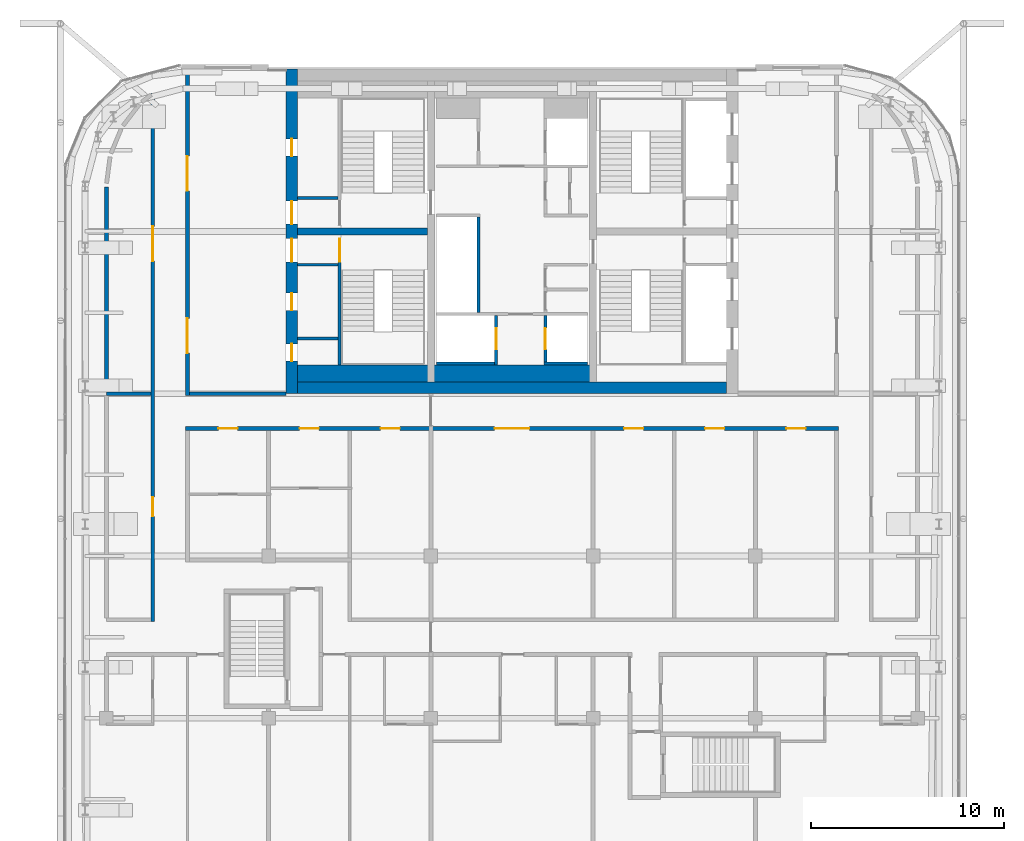
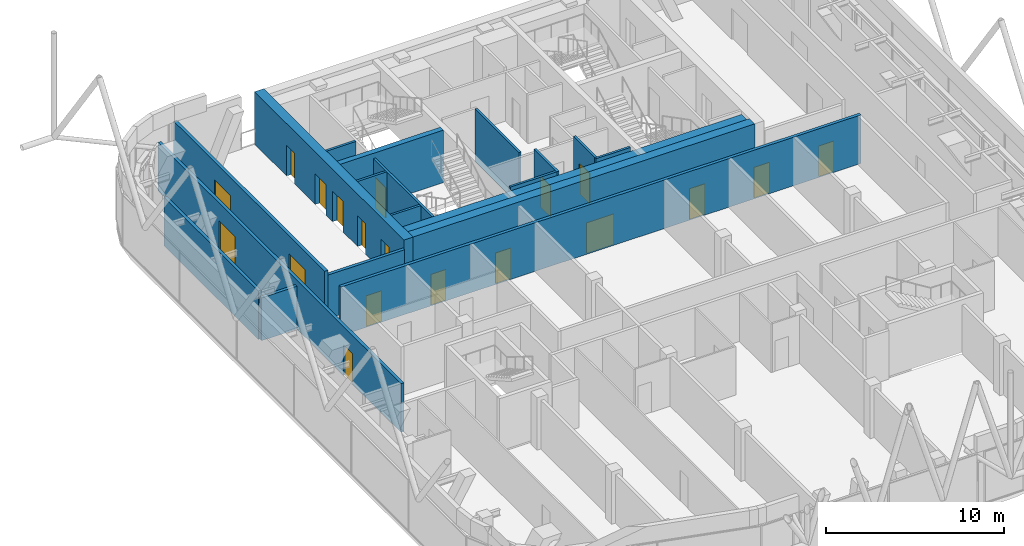
# One storey, part 21 of 25: 19 doors, 19 walls, 19 openings.
"""IFC4 building model written with IfcOpenShell, lengths in metres."""

from ifc_helpers import new_model, si_unit, direction, frame, frame_2d, origin, place, context, subcontext, project, spatial, rectangle, extrude, material, layer, layer_set, type_object, element, fill, save


model = new_model("IFC4")

# Units and contexts
model_context = context("Model", 3, precision=1e-05, world=origin(), true_north=direction((0.0, 1.0)))
body_context = subcontext(model_context, "Body", "Model", "MODEL_VIEW")
ifc_project = project(units=[si_unit("LENGTHUNIT", "METRE"), si_unit("AREAUNIT", "SQUARE_METRE"), si_unit("VOLUMEUNIT", "CUBIC_METRE"), si_unit("PLANEANGLEUNIT", "RADIAN"), si_unit("MASSUNIT", "GRAM", prefix="KILO")], contexts=[model_context])

# Site, building, storey
site_placement = place(None, origin())
site = spatial("IfcSite", under=ifc_project, at=site_placement, CompositionType="ELEMENT")
building_placement = place(site_placement, origin())
building = spatial("IfcBuilding", under=site, at=building_placement, Name="Marenta Gate Hotel Tower", CompositionType="ELEMENT")
storey_placement = place(building_placement, frame((0.0, 0.0, 277.699951171875)))
storey = spatial("IfcBuildingStorey", under=building, at=storey_placement, Name="L64", CompositionType="ELEMENT", Elevation=277.699951171875)

# Wall, openings, doors
ifc_material_1 = material(Name="Concrete blockwork", Category="masonry")
ifc_layer_1 = layer(ifc_material_1, 0.199951171875)
ifc_layer_set_1 = layer_set([ifc_layer_1], Name="Concrete blockwork")
wall_type_1 = type_object("IfcWallType", Name="Core boundary wall 200 REI 180", PredefinedType="PARTITIONING", material=ifc_layer_set_1)
wall_1_placement = place(storey_placement, frame((-16.800048828125, -0.10009765625, 0.0), z_axis=(0.0, 0.0, 1.0), x_axis=(0.0, 1.0, 0.0)))
wall_1 = element("IfcWall", 1, at=wall_1_placement, inside=storey, type_object=wall_type_1, Name="L64-CP-BW-W", PredefinedType="PARTITIONING", context=body_context, shape_type="SweptSolid", body=[
    extrude(rectangle(XDim=17.0, YDim=0.199951171875, at=frame_2d((8.5, 0.0))), origin(), (0.0, 0.0, 1.0), 3.340087890625),
])
opening_1_placement = place(wall_1_placement, frame((2.199951171875, 0.0, 0.0)))
opening_1 = element("IfcOpeningElement", 2, at=opening_1_placement, cuts=wall_1, Name="Opening ED-Wa-B", PredefinedType="OPENING", context=body_context, shape_type="SweptSolid", body=[
    extrude(rectangle(XDim=1.800048828125, YDim=2.10009765625, at=frame_2d((0.89990234375, 1.050048828125))), frame((0.0, 0.10009765625, 0.0), z_axis=(0.0, -1.0, 0.0), x_axis=(1.0, 0.0, 0.0)), (0.0, 0.0, 1.0), 0.199951171875),
])
opening_2_placement = place(wall_1_placement, frame((10.60009765625, 0.0, 0.0)))
opening_2 = element("IfcOpeningElement", 3, at=opening_2_placement, cuts=wall_1, Name="Opening ED-Wb-B", PredefinedType="OPENING", context=body_context, shape_type="SweptSolid", body=[
    extrude(rectangle(XDim=1.800048828125, YDim=2.10009765625, at=frame_2d((0.89990234375, 1.050048828125))), frame((0.0, 0.10009765625, 0.0), z_axis=(0.0, -1.0, 0.0), x_axis=(1.0, 0.0, 0.0)), (0.0, 0.0, 1.0), 0.199951171875),
])
ifc_material_2 = material(Name="Steel", Category="steel")
door_type_1 = type_object("IfcDoorType", Name="Core lobby entrance door 1800x2100 EI 60", OperationType="DOUBLE_DOOR_SINGLE_SWING", PredefinedType="DOOR", material=ifc_material_2)
door_1_placement = place(opening_1_placement, origin())
door_1 = element("IfcDoor", 4, at=door_1_placement, inside=storey, type_object=door_type_1, Name="ED-Wa-B", OperationType="DOUBLE_DOOR_SINGLE_SWING", OverallHeight=2.10009765625, OverallWidth=1.800048828125, PredefinedType="DOOR", context=body_context, shape_type="SweptSolid", body=[
    extrude(rectangle(XDim=1.800048828125, YDim=2.10009765625, at=frame_2d((0.89990234375, 1.050048828125))), frame((0.0, 0.02490234375, 0.0), z_axis=(0.0, -1.0, 0.0), x_axis=(1.0, 0.0, 0.0)), (0.0, 0.0, 1.0), 0.050048828125),
])
fill(opening_1, door_1)
door_2_placement = place(opening_2_placement, origin())
door_2 = element("IfcDoor", 5, at=door_2_placement, inside=storey, type_object=door_type_1, Name="ED-Wb-B", OperationType="DOUBLE_DOOR_SINGLE_SWING", OverallHeight=2.10009765625, OverallWidth=1.800048828125, PredefinedType="DOOR", context=body_context, shape_type="SweptSolid", body=[
    extrude(rectangle(XDim=1.800048828125, YDim=2.10009765625, at=frame_2d((0.89990234375, 1.050048828125))), frame((0.0, 0.02490234375, 0.0), z_axis=(0.0, -1.0, 0.0), x_axis=(1.0, 0.0, 0.0)), (0.0, 0.0, 1.0), 0.050048828125),
])
fill(opening_2, door_2)

# Walls
wall_2_placement = place(storey_placement, frame((-16.699951171875, 0.0, 0.0), z_axis=(0.0, 0.0, 1.0), x_axis=(1.0, 0.0, 0.0)))
element("IfcWall", 6, at=wall_2_placement, inside=storey, type_object=wall_type_1, Name="L64-CP-EW-WS", PredefinedType="PARTITIONING", context=body_context, shape_type="SweptSolid", body=[
    extrude(rectangle(XDim=5.0, YDim=0.199951171875, at=frame_2d((2.5, 0.0))), origin(), (0.0, 0.0, 1.0), 3.0),
])
ifc_material_3 = material(Name="Concrete C40", Category="concrete")
ifc_layer_2 = layer(ifc_material_3, 0.89990234375)
ifc_layer_set_2 = layer_set([ifc_layer_2], Name="Concrete C40")
wall_type_2 = type_object("IfcWallType", Name="Core lining wall 900 REI 180", PredefinedType="PARTITIONING", material=ifc_layer_set_2)
wall_3_placement = place(storey_placement, frame((-11.10009765625, 1.050048828125, 0.0), z_axis=(0.0, 0.0, 1.0), x_axis=(1.0, 0.0, 0.0)))
element("IfcWall", 7, at=wall_3_placement, inside=storey, type_object=wall_type_2, Name="L64-CP-LN-S", PredefinedType="PARTITIONING", context=body_context, shape_type="SweptSolid", body=[
    extrude(rectangle(XDim=22.2001953125, YDim=0.89990234375, at=frame_2d((11.10009765625, 0.0))), origin(), (0.0, 0.0, 1.0), 3.340087890625),
])
ifc_material_4 = material(Name="Concrete blockwork", Category="masonry")
ifc_layer_3 = layer(ifc_material_4, 0.14990234375)
ifc_layer_set_3 = layer_set([ifc_layer_3], Name="Concrete blockwork")
wall_type_3 = type_object("IfcWallType", Name="Core room partition 150 REI 180", PredefinedType="PARTITIONING", material=ifc_layer_set_3)
for number, where, z_axis, x_axis, name in (
    (8, (-11.10009765625, 6.675048828125, 0.0), (0.0, 0.0, 1.0), (1.0, 0.0, 0.0), "L64-CP-SW-WS-2"),
    (9, (-11.10009765625, 2.85009765625, 0.0), (0.0, 0.0, 1.0), (1.0, 0.0, 0.0), "L64-CP-RW-WS-1"),
    (10, (-11.10009765625, 10.125, 0.0), (0.0, 0.0, 1.0), (1.0, 0.0, 0.0), "L64-CP-SW-WN-2"),
):
    element("IfcWall", number, at=place(storey_placement, frame(where, z_axis=z_axis, x_axis=x_axis)), inside=storey, type_object=wall_type_3, Name=name, PredefinedType="PARTITIONING", context=body_context, shape_type="SweptSolid", body=[
        extrude(rectangle(XDim=2.10009765625, YDim=0.14990234375, at=frame_2d((1.050048828125, 0.0))), origin(), (0.0, 0.0, 1.0), 3.340087890625),
    ])

# Wall, opening, door
ifc_material_5 = material(Name="Concrete C40", Category="concrete")
ifc_layer_4 = layer(ifc_material_5, 0.14990234375)
ifc_layer_set_4 = layer_set([ifc_layer_4], Name="Concrete C40")
wall_type_4 = type_object("IfcWallType", Name="Core shaft wall 150 REI 180", PredefinedType="SHEAR", material=ifc_layer_set_4)
wall_4_placement = place(storey_placement, frame((-0.824951171875, 1.5, 0.0), z_axis=(0.0, 0.0, 1.0), x_axis=(0.0, 1.0, 0.0)))
wall_4 = element("IfcWall", 11, at=wall_4_placement, inside=storey, type_object=wall_type_4, Name="L64-SHF-CW-W-ff", PredefinedType="SHEAR", context=body_context, shape_type="SweptSolid", body=[
    extrude(rectangle(XDim=2.550048828125, YDim=0.14990234375, at=frame_2d((1.27490234375, 0.0))), origin(), (0.0, 0.0, 1.0), 3.60009765625),
])
opening_3_placement = place(wall_4_placement, frame((0.800048828125, 0.0, 0.0)))
opening_3 = element("IfcOpeningElement", 12, at=opening_3_placement, cuts=wall_4, Name="Opening LD-FF1", PredefinedType="OPENING", context=body_context, shape_type="SweptSolid", body=[
    extrude(rectangle(XDim=1.10009765625, YDim=2.10009765625, at=frame_2d((0.550048828125, 1.050048828125))), frame((0.0, 0.074951171875, 0.0), z_axis=(0.0, -1.0, 0.0), x_axis=(1.0, 0.0, 0.0)), (0.0, 0.0, 1.0), 0.14990234375),
])
ifc_material_6 = material(Name="Steel", Category="steel")
door_type_2 = type_object("IfcDoorType", Name="Core lift landing door 1100x2100 E 60", OperationType="SLIDING_TO_LEFT", PredefinedType="DOOR", material=ifc_material_6)
door_3_placement = place(opening_3_placement, origin())
door_3 = element("IfcDoor", 13, at=door_3_placement, inside=storey, type_object=door_type_2, Name="LD-FF1", OperationType="SLIDING_TO_LEFT", OverallHeight=2.10009765625, OverallWidth=1.10009765625, PredefinedType="DOOR", context=body_context, shape_type="SweptSolid", body=[
    extrude(rectangle(XDim=1.10009765625, YDim=2.10009765625, at=frame_2d((0.550048828125, 1.050048828125))), frame((0.0, 0.02490234375, 0.0), z_axis=(0.0, -1.0, 0.0), x_axis=(1.0, 0.0, 0.0)), (0.0, 0.0, 1.0), 0.050048828125),
])
fill(opening_3, door_3)

# Walls
wall_5_placement = place(storey_placement, frame((-3.89990234375, 1.574951171875, 0.0), z_axis=(0.0, 0.0, 1.0), x_axis=(1.0, 0.0, 0.0)))
element("IfcWall", 14, at=wall_5_placement, inside=storey, type_object=wall_type_4, Name="L64-SHF-CW-W-ffs", PredefinedType="SHEAR", context=body_context, shape_type="SweptSolid", body=[
    extrude(rectangle(XDim=3.0, YDim=0.14990234375, at=frame_2d((1.5, 0.0))), origin(), (0.0, 0.0, 1.0), 3.60009765625),
])
wall_6_placement = place(storey_placement, frame((-1.72509765625, 4.199951171875, 0.0), z_axis=(0.0, 0.0, 1.0), x_axis=(0.0, 1.0, 0.0)))
element("IfcWall", 15, at=wall_6_placement, inside=storey, type_object=wall_type_4, Name="L64-SHF-CW-W-front", PredefinedType="SHEAR", context=body_context, shape_type="SweptSolid", body=[
    extrude(rectangle(XDim=4.949951171875, YDim=0.14990234375, at=frame_2d((2.47509765625, 0.0))), origin(), (0.0, 0.0, 1.0), 3.60009765625),
])

# Wall, opening, door
wall_7_placement = place(storey_placement, frame((1.72509765625, 1.64990234375, 0.0), z_axis=(0.0, 0.0, 1.0), x_axis=(0.0, 1.0, 0.0)))
wall_7 = element("IfcWall", 16, at=wall_7_placement, inside=storey, type_object=wall_type_4, Name="L64-SHF-CE-S-ls", PredefinedType="SHEAR", context=body_context, shape_type="SweptSolid", body=[
    extrude(rectangle(XDim=2.400146484375, YDim=0.14990234375, at=frame_2d((1.2001953125, 0.0))), origin(), (0.0, 0.0, 1.0), 3.60009765625),
])
opening_4_placement = place(wall_7_placement, frame((0.64990234375, 0.0, 0.0)))
opening_4 = element("IfcOpeningElement", 17, at=opening_4_placement, cuts=wall_7, Name="Opening LD-SV1", PredefinedType="OPENING", context=body_context, shape_type="SweptSolid", body=[
    extrude(rectangle(XDim=1.10009765625, YDim=2.10009765625, at=frame_2d((0.550048828125, 1.050048828125))), frame((0.0, 0.074951171875, 0.0), z_axis=(0.0, -1.0, 0.0), x_axis=(1.0, 0.0, 0.0)), (0.0, 0.0, 1.0), 0.14990234375),
])
door_4_placement = place(opening_4_placement, origin())
door_4 = element("IfcDoor", 18, at=door_4_placement, inside=storey, type_object=door_type_2, Name="LD-SV1", OperationType="SLIDING_TO_LEFT", OverallHeight=2.10009765625, OverallWidth=1.10009765625, PredefinedType="DOOR", context=body_context, shape_type="SweptSolid", body=[
    extrude(rectangle(XDim=1.10009765625, YDim=2.10009765625, at=frame_2d((0.550048828125, 1.050048828125))), frame((0.0, 0.02490234375, 0.0), z_axis=(0.0, -1.0, 0.0), x_axis=(1.0, 0.0, 0.0)), (0.0, 0.0, 1.0), 0.050048828125),
])
fill(opening_4, door_4)

# Wall
wall_8_placement = place(storey_placement, frame((1.64990234375, 1.574951171875, 0.0), z_axis=(0.0, 0.0, 1.0), x_axis=(1.0, 0.0, 0.0)))
element("IfcWall", 19, at=wall_8_placement, inside=storey, type_object=wall_type_4, Name="L64-SHF-CE-S-bot", PredefinedType="SHEAR", context=body_context, shape_type="SweptSolid", body=[
    extrude(rectangle(XDim=2.25, YDim=0.14990234375, at=frame_2d((1.125, 0.0))), origin(), (0.0, 0.0, 1.0), 3.60009765625),
])

# Wall, opening, door
ifc_material_7 = material(Name="Concrete C40", Category="concrete")
ifc_layer_5 = layer(ifc_material_7, 0.14990234375)
ifc_layer_set_5 = layer_set([ifc_layer_5], Name="Concrete C40")
wall_type_5 = type_object("IfcWallType", Name="Core stair enclosure wall 150 REI 180", PredefinedType="SHEAR", material=ifc_layer_set_5)
wall_9_placement = place(storey_placement, frame((-8.925048828125, 1.5, 0.0), z_axis=(0.0, 0.0, 1.0), x_axis=(0.0, 1.0, 0.0)))
wall_9 = element("IfcWall", 20, at=wall_9_placement, inside=storey, type_object=wall_type_5, Name="L64-SHF-SW-WS-3", PredefinedType="SHEAR", context=body_context, shape_type="SweptSolid", body=[
    extrude(rectangle(XDim=6.60009765625, YDim=0.14990234375, at=frame_2d((3.300048828125, 0.0))), origin(), (0.0, 0.0, 1.0), 3.340087890625),
])
opening_5_placement = place(wall_9_placement, frame((5.324951171875, 0.0, 0.0)))
opening_5 = element("IfcOpeningElement", 21, at=opening_5_placement, cuts=wall_9, Name="Opening SD-WS", PredefinedType="OPENING", context=body_context, shape_type="SweptSolid", body=[
    extrude(rectangle(XDim=1.199951171875, YDim=2.10009765625, at=frame_2d((0.60009765625, 1.050048828125))), frame((0.0, 0.074951171875, 0.0), z_axis=(0.0, -1.0, 0.0), x_axis=(1.0, 0.0, 0.0)), (0.0, 0.0, 1.0), 0.14990234375),
])
ifc_material_8 = material(Name="Steel", Category="steel")
door_type_3 = type_object("IfcDoorType", Name="Core stair door 1200x2100 FD60", OperationType="SINGLE_SWING_LEFT", PredefinedType="DOOR", material=ifc_material_8)
door_5_placement = place(opening_5_placement, origin())
door_5 = element("IfcDoor", 22, at=door_5_placement, inside=storey, type_object=door_type_3, Name="SD-WS", OperationType="SINGLE_SWING_LEFT", OverallHeight=2.10009765625, OverallWidth=1.199951171875, PredefinedType="DOOR", context=body_context, shape_type="SweptSolid", body=[
    extrude(rectangle(XDim=1.199951171875, YDim=2.10009765625, at=frame_2d((0.60009765625, 1.050048828125))), frame((0.0, 0.02490234375, 0.0), z_axis=(0.0, -1.0, 0.0), x_axis=(1.0, 0.0, 0.0)), (0.0, 0.0, 1.0), 0.050048828125),
])
fill(opening_5, door_5)

# Wall, openings, doors
ifc_material_9 = material(Name="Concrete C50", Category="concrete")
ifc_layer_6 = layer(ifc_material_9, 0.60009765625)
ifc_layer_set_6 = layer_set([ifc_layer_6], Name="Concrete C50")
wall_type_6 = type_object("IfcWallType", Name="Core wall 600 C50", PredefinedType="SHEAR", material=ifc_layer_set_6)
wall_10_placement = place(storey_placement, frame((-11.39990234375, 0.0, 0.0), z_axis=(0.0, 0.0, 1.0), x_axis=(0.0, 1.0, 0.0)))
wall_10 = element("IfcWall", 23, at=wall_10_placement, inside=storey, type_object=wall_type_6, Name="L64-CORE-W", PredefinedType="SHEAR", context=body_context, shape_type="SweptSolid", body=[
    extrude(rectangle(XDim=16.800048828125, YDim=0.60009765625, at=frame_2d((8.39990234375, 0.0))), origin(), (0.0, 0.0, 1.0), 3.60009765625),
])
opening_6_placement = place(wall_10_placement, frame((1.6875, 0.0, 0.0)))
opening_6 = element("IfcOpeningElement", 24, at=opening_6_placement, cuts=wall_10, Name="Opening RD-WS-1", PredefinedType="OPENING", context=body_context, shape_type="SweptSolid", body=[
    extrude(rectangle(XDim=0.89990234375, YDim=2.10009765625, at=frame_2d((0.449951171875, 1.050048828125))), frame((0.0, 0.300048828125, 0.0), z_axis=(0.0, -1.0, 0.0), x_axis=(1.0, 0.0, 0.0)), (0.0, 0.0, 1.0), 0.60009765625),
])
opening_7_placement = place(wall_10_placement, frame((4.3125, 0.0, 0.0)))
opening_7 = element("IfcOpeningElement", 25, at=opening_7_placement, cuts=wall_10, Name="Opening RD-WS-2", PredefinedType="OPENING", context=body_context, shape_type="SweptSolid", body=[
    extrude(rectangle(XDim=0.89990234375, YDim=2.10009765625, at=frame_2d((0.449951171875, 1.050048828125))), frame((0.0, 0.300048828125, 0.0), z_axis=(0.0, -1.0, 0.0), x_axis=(1.0, 0.0, 0.0)), (0.0, 0.0, 1.0), 0.60009765625),
])
opening_8_placement = place(wall_10_placement, frame((6.824951171875, 0.0, 0.0)))
opening_8 = element("IfcOpeningElement", 26, at=opening_8_placement, cuts=wall_10, Name="Opening PD-WS", PredefinedType="OPENING", context=body_context, shape_type="SweptSolid", body=[
    extrude(rectangle(XDim=1.199951171875, YDim=2.10009765625, at=frame_2d((0.60009765625, 1.050048828125))), frame((0.0, 0.300048828125, 0.0), z_axis=(0.0, -1.0, 0.0), x_axis=(1.0, 0.0, 0.0)), (0.0, 0.0, 1.0), 0.60009765625),
])
opening_9_placement = place(wall_10_placement, frame((12.300048828125, 0.0, 0.0)))
opening_9 = element("IfcOpeningElement", 27, at=opening_9_placement, cuts=wall_10, Name="Opening RD-WN-1", PredefinedType="OPENING", context=body_context, shape_type="SweptSolid", body=[
    extrude(rectangle(XDim=0.89990234375, YDim=2.10009765625, at=frame_2d((0.449951171875, 1.050048828125))), frame((0.0, 0.300048828125, 0.0), z_axis=(0.0, -1.0, 0.0), x_axis=(1.0, 0.0, 0.0)), (0.0, 0.0, 1.0), 0.60009765625),
])
opening_10_placement = place(wall_10_placement, frame((8.77490234375, 0.0, 0.0)))
opening_10 = element("IfcOpeningElement", 28, at=opening_10_placement, cuts=wall_10, Name="Opening PD-WN", PredefinedType="OPENING", context=body_context, shape_type="SweptSolid", body=[
    extrude(rectangle(XDim=1.199951171875, YDim=2.10009765625, at=frame_2d((0.60009765625, 1.050048828125))), frame((0.0, 0.300048828125, 0.0), z_axis=(0.0, -1.0, 0.0), x_axis=(1.0, 0.0, 0.0)), (0.0, 0.0, 1.0), 0.60009765625),
])
ifc_material_10 = material(Name="Steel", Category="steel")
door_type_4 = type_object("IfcDoorType", Name="Core lobby door 1200x2100 FD60", OperationType="SINGLE_SWING_LEFT", PredefinedType="DOOR", material=ifc_material_10)
door_6_placement = place(opening_8_placement, origin())
door_6 = element("IfcDoor", 29, at=door_6_placement, inside=storey, type_object=door_type_4, Name="PD-WS", OperationType="SINGLE_SWING_LEFT", OverallHeight=2.10009765625, OverallWidth=1.199951171875, PredefinedType="DOOR", context=body_context, shape_type="SweptSolid", body=[
    extrude(rectangle(XDim=1.199951171875, YDim=2.10009765625, at=frame_2d((0.60009765625, 1.050048828125))), frame((0.0, 0.02490234375, 0.0), z_axis=(0.0, -1.0, 0.0), x_axis=(1.0, 0.0, 0.0)), (0.0, 0.0, 1.0), 0.050048828125),
])
fill(opening_8, door_6)
door_7_placement = place(opening_10_placement, origin())
door_7 = element("IfcDoor", 30, at=door_7_placement, inside=storey, type_object=door_type_4, Name="PD-WN", OperationType="SINGLE_SWING_LEFT", OverallHeight=2.10009765625, OverallWidth=1.199951171875, PredefinedType="DOOR", context=body_context, shape_type="SweptSolid", body=[
    extrude(rectangle(XDim=1.199951171875, YDim=2.10009765625, at=frame_2d((0.60009765625, 1.050048828125))), frame((0.0, 0.02490234375, 0.0), z_axis=(0.0, -1.0, 0.0), x_axis=(1.0, 0.0, 0.0)), (0.0, 0.0, 1.0), 0.050048828125),
])
fill(opening_10, door_7)
ifc_material_11 = material(Name="Steel", Category="steel")
door_type_5 = type_object("IfcDoorType", Name="Core service room door 900x2100 FD30S", OperationType="SINGLE_SWING_LEFT", PredefinedType="DOOR", material=ifc_material_11)
door_8_placement = place(opening_6_placement, origin())
door_8 = element("IfcDoor", 31, at=door_8_placement, inside=storey, type_object=door_type_5, Name="RD-WS-1", OperationType="SINGLE_SWING_LEFT", OverallHeight=2.10009765625, OverallWidth=0.89990234375, PredefinedType="DOOR", context=body_context, shape_type="SweptSolid", body=[
    extrude(rectangle(XDim=0.89990234375, YDim=2.10009765625, at=frame_2d((0.449951171875, 1.050048828125))), frame((0.0, 0.02490234375, 0.0), z_axis=(0.0, -1.0, 0.0), x_axis=(1.0, 0.0, 0.0)), (0.0, 0.0, 1.0), 0.050048828125),
])
fill(opening_6, door_8)
door_9_placement = place(opening_7_placement, origin())
door_9 = element("IfcDoor", 32, at=door_9_placement, inside=storey, type_object=door_type_5, Name="RD-WS-2", OperationType="SINGLE_SWING_LEFT", OverallHeight=2.10009765625, OverallWidth=0.89990234375, PredefinedType="DOOR", context=body_context, shape_type="SweptSolid", body=[
    extrude(rectangle(XDim=0.89990234375, YDim=2.10009765625, at=frame_2d((0.449951171875, 1.050048828125))), frame((0.0, 0.02490234375, 0.0), z_axis=(0.0, -1.0, 0.0), x_axis=(1.0, 0.0, 0.0)), (0.0, 0.0, 1.0), 0.050048828125),
])
fill(opening_7, door_9)
door_10_placement = place(opening_9_placement, origin())
door_10 = element("IfcDoor", 33, at=door_10_placement, inside=storey, type_object=door_type_5, Name="RD-WN-1", OperationType="SINGLE_SWING_LEFT", OverallHeight=2.10009765625, OverallWidth=0.89990234375, PredefinedType="DOOR", context=body_context, shape_type="SweptSolid", body=[
    extrude(rectangle(XDim=0.89990234375, YDim=2.10009765625, at=frame_2d((0.449951171875, 1.050048828125))), frame((0.0, 0.02490234375, 0.0), z_axis=(0.0, -1.0, 0.0), x_axis=(1.0, 0.0, 0.0)), (0.0, 0.0, 1.0), 0.050048828125),
])
fill(opening_9, door_10)

# Walls
wall_11_placement = place(storey_placement, frame((-11.10009765625, 0.300048828125, 0.0), z_axis=(0.0, 0.0, 1.0), x_axis=(1.0, 0.0, 0.0)))
element("IfcWall", 34, at=wall_11_placement, inside=storey, type_object=wall_type_6, Name="L64-CORE-S", PredefinedType="SHEAR", context=body_context, shape_type="SweptSolid", body=[
    extrude(rectangle(XDim=22.2001953125, YDim=0.60009765625, at=frame_2d((11.10009765625, 0.0))), origin(), (0.0, 0.0, 1.0), 3.60009765625),
])
ifc_material_12 = material(Name="Concrete C50", Category="concrete")
ifc_layer_7 = layer(ifc_material_12, 0.35009765625)
ifc_layer_set_7 = layer_set([ifc_layer_7], Name="Concrete C50")
wall_type_7 = type_object("IfcWallType", Name="Core web 350 C50", PredefinedType="SHEAR", material=ifc_layer_set_7)
wall_12_placement = place(storey_placement, frame((-11.10009765625, 8.39990234375, 0.0), z_axis=(0.0, 0.0, 1.0), x_axis=(1.0, 0.0, 0.0)))
element("IfcWall", 35, at=wall_12_placement, inside=storey, type_object=wall_type_7, Name="L64-CORE-W3", PredefinedType="SHEAR", context=body_context, shape_type="SweptSolid", body=[
    extrude(rectangle(XDim=6.72509765625, YDim=0.35009765625, at=frame_2d((3.362548828125, 0.0))), origin(), (0.0, 0.0, 1.0), 3.60009765625),
])

# Wall, openings, doors
ifc_material_13 = material(Name="Concrete blockwork", Category="masonry")
ifc_layer_8 = layer(ifc_material_13, 0.199951171875)
ifc_layer_set_8 = layer_set([ifc_layer_8], Name="Concrete blockwork")
wall_type_8 = type_object("IfcWallType", Name="Room corridor wall 200 EI 120", PredefinedType="PARTITIONING", material=ifc_layer_set_8)
wall_13_placement = place(storey_placement, frame((-16.89990234375, -1.800048828125, 0.0), z_axis=(0.0, 0.0, 1.0), x_axis=(1.0, 0.0, 0.0)))
wall_13 = element("IfcWall", 36, at=wall_13_placement, inside=storey, type_object=wall_type_8, Name="L64-PTN-W036", PredefinedType="PARTITIONING", context=body_context, shape_type="SweptSolid", body=[
    extrude(rectangle(XDim=33.7998046875, YDim=0.199951171875, at=frame_2d((16.89990234375, 0.0))), origin(), (0.0, 0.0, 1.0), 3.340087890625),
])
opening_11_placement = place(wall_13_placement, frame((1.699951171875, 0.0, 0.0)))
opening_11 = element("IfcOpeningElement", 37, at=opening_11_placement, cuts=wall_13, Name="Opening G23-01", PredefinedType="OPENING", context=body_context, shape_type="SweptSolid", body=[
    extrude(rectangle(XDim=1.0, YDim=2.10009765625, at=frame_2d((0.5, 1.050048828125))), frame((0.0, 0.10009765625, 0.0), z_axis=(0.0, -1.0, 0.0), x_axis=(1.0, 0.0, 0.0)), (0.0, 0.0, 1.0), 0.199951171875),
])
opening_12_placement = place(wall_13_placement, frame((5.89990234375, 0.0, 0.0)))
opening_12 = element("IfcOpeningElement", 38, at=opening_12_placement, cuts=wall_13, Name="Opening G23-03", PredefinedType="OPENING", context=body_context, shape_type="SweptSolid", body=[
    extrude(rectangle(XDim=1.0, YDim=2.10009765625, at=frame_2d((0.5, 1.050048828125))), frame((0.0, 0.10009765625, 0.0), z_axis=(0.0, -1.0, 0.0), x_axis=(1.0, 0.0, 0.0)), (0.0, 0.0, 1.0), 0.199951171875),
])
opening_13_placement = place(wall_13_placement, frame((10.10009765625, 0.0, 0.0)))
opening_13 = element("IfcOpeningElement", 39, at=opening_13_placement, cuts=wall_13, Name="Opening G23-05", PredefinedType="OPENING", context=body_context, shape_type="SweptSolid", body=[
    extrude(rectangle(XDim=1.0, YDim=2.10009765625, at=frame_2d((0.5, 1.050048828125))), frame((0.0, 0.10009765625, 0.0), z_axis=(0.0, -1.0, 0.0), x_axis=(1.0, 0.0, 0.0)), (0.0, 0.0, 1.0), 0.199951171875),
])
opening_14_placement = place(wall_13_placement, frame((16.0, 0.0, 0.0)))
opening_14 = element("IfcOpeningElement", 40, at=opening_14_placement, cuts=wall_13, Name="Opening G23-06", PredefinedType="OPENING", context=body_context, shape_type="SweptSolid", body=[
    extrude(rectangle(XDim=1.800048828125, YDim=2.10009765625, at=frame_2d((0.89990234375, 1.050048828125))), frame((0.0, 0.10009765625, 0.0), z_axis=(0.0, -1.0, 0.0), x_axis=(1.0, 0.0, 0.0)), (0.0, 0.0, 1.0), 0.199951171875),
])
opening_15_placement = place(wall_13_placement, frame((22.699951171875, 0.0, 0.0)))
opening_15 = element("IfcOpeningElement", 41, at=opening_15_placement, cuts=wall_13, Name="Opening G23-07", PredefinedType="OPENING", context=body_context, shape_type="SweptSolid", body=[
    extrude(rectangle(XDim=1.0, YDim=2.10009765625, at=frame_2d((0.5, 1.050048828125))), frame((0.0, 0.10009765625, 0.0), z_axis=(0.0, -1.0, 0.0), x_axis=(1.0, 0.0, 0.0)), (0.0, 0.0, 1.0), 0.199951171875),
])
opening_16_placement = place(wall_13_placement, frame((26.89990234375, 0.0, 0.0)))
opening_16 = element("IfcOpeningElement", 42, at=opening_16_placement, cuts=wall_13, Name="Opening G23-08", PredefinedType="OPENING", context=body_context, shape_type="SweptSolid", body=[
    extrude(rectangle(XDim=1.0, YDim=2.10009765625, at=frame_2d((0.5, 1.050048828125))), frame((0.0, 0.10009765625, 0.0), z_axis=(0.0, -1.0, 0.0), x_axis=(1.0, 0.0, 0.0)), (0.0, 0.0, 1.0), 0.199951171875),
])
opening_17_placement = place(wall_13_placement, frame((31.10009765625, 0.0, 0.0)))
opening_17 = element("IfcOpeningElement", 43, at=opening_17_placement, cuts=wall_13, Name="Opening G23-09", PredefinedType="OPENING", context=body_context, shape_type="SweptSolid", body=[
    extrude(rectangle(XDim=1.0, YDim=2.10009765625, at=frame_2d((0.5, 1.050048828125))), frame((0.0, 0.10009765625, 0.0), z_axis=(0.0, -1.0, 0.0), x_axis=(1.0, 0.0, 0.0)), (0.0, 0.0, 1.0), 0.199951171875),
])
ifc_material_14 = material(Name="Timber door leaf", Category="wood")
door_type_6 = type_object("IfcDoorType", Name="Room amenity door 1000x2100 EI 60", OperationType="NOTDEFINED", PredefinedType="DOOR", material=ifc_material_14)
door_11_placement = place(opening_13_placement, origin())
door_11 = element("IfcDoor", 44, at=door_11_placement, inside=storey, type_object=door_type_6, Name="L64-PD-D005", OperationType="SINGLE_SWING_RIGHT", OverallHeight=2.10009765625, OverallWidth=1.0, PredefinedType="DOOR", context=body_context, shape_type="SweptSolid", body=[
    extrude(rectangle(XDim=1.0, YDim=2.10009765625, at=frame_2d((0.5, 1.050048828125))), frame((0.0, 0.02490234375, 0.0), z_axis=(0.0, -1.0, 0.0), x_axis=(1.0, 0.0, 0.0)), (0.0, 0.0, 1.0), 0.050048828125),
])
fill(opening_13, door_11)
door_12_placement = place(opening_15_placement, origin())
door_12 = element("IfcDoor", 45, at=door_12_placement, inside=storey, type_object=door_type_6, Name="L64-PD-D007", OperationType="SINGLE_SWING_RIGHT", OverallHeight=2.10009765625, OverallWidth=1.0, PredefinedType="DOOR", context=body_context, shape_type="SweptSolid", body=[
    extrude(rectangle(XDim=1.0, YDim=2.10009765625, at=frame_2d((0.5, 1.050048828125))), frame((0.0, 0.02490234375, 0.0), z_axis=(0.0, -1.0, 0.0), x_axis=(1.0, 0.0, 0.0)), (0.0, 0.0, 1.0), 0.050048828125),
])
fill(opening_15, door_12)
door_13_placement = place(opening_16_placement, origin())
door_13 = element("IfcDoor", 46, at=door_13_placement, inside=storey, type_object=door_type_6, Name="L64-PD-D008", OperationType="SINGLE_SWING_LEFT", OverallHeight=2.10009765625, OverallWidth=1.0, PredefinedType="DOOR", context=body_context, shape_type="SweptSolid", body=[
    extrude(rectangle(XDim=1.0, YDim=2.10009765625, at=frame_2d((0.5, 1.050048828125))), frame((0.0, 0.02490234375, 0.0), z_axis=(0.0, -1.0, 0.0), x_axis=(1.0, 0.0, 0.0)), (0.0, 0.0, 1.0), 0.050048828125),
])
fill(opening_16, door_13)
door_14_placement = place(opening_17_placement, origin())
door_14 = element("IfcDoor", 47, at=door_14_placement, inside=storey, type_object=door_type_6, Name="L64-PD-D009", OperationType="SINGLE_SWING_RIGHT", OverallHeight=2.10009765625, OverallWidth=1.0, PredefinedType="DOOR", context=body_context, shape_type="SweptSolid", body=[
    extrude(rectangle(XDim=1.0, YDim=2.10009765625, at=frame_2d((0.5, 1.050048828125))), frame((0.0, 0.02490234375, 0.0), z_axis=(0.0, -1.0, 0.0), x_axis=(1.0, 0.0, 0.0)), (0.0, 0.0, 1.0), 0.050048828125),
])
fill(opening_17, door_14)
ifc_material_15 = material(Name="Timber door leaf", Category="wood")
door_type_7 = type_object("IfcDoorType", Name="Room amenity door 1800x2100 EI 60", OperationType="DOUBLE_DOOR_SINGLE_SWING", PredefinedType="DOOR", material=ifc_material_15)
door_15_placement = place(opening_14_placement, origin())
door_15 = element("IfcDoor", 48, at=door_15_placement, inside=storey, type_object=door_type_7, Name="L64-PD-D006", OperationType="DOUBLE_DOOR_SINGLE_SWING", OverallHeight=2.10009765625, OverallWidth=1.800048828125, PredefinedType="DOOR", context=body_context, shape_type="SweptSolid", body=[
    extrude(rectangle(XDim=1.800048828125, YDim=2.10009765625, at=frame_2d((0.89990234375, 1.050048828125))), frame((0.0, 0.02490234375, 0.0), z_axis=(0.0, -1.0, 0.0), x_axis=(1.0, 0.0, 0.0)), (0.0, 0.0, 1.0), 0.050048828125),
])
fill(opening_14, door_15)
ifc_material_16 = material(Name="Hollow steel door set", Category="steel")
door_type_8 = type_object("IfcDoorType", Name="Room service door 1000x2100 EI 60", OperationType="NOTDEFINED", PredefinedType="DOOR", material=ifc_material_16)
door_16_placement = place(opening_11_placement, origin())
door_16 = element("IfcDoor", 49, at=door_16_placement, inside=storey, type_object=door_type_8, Name="L64-PD-D001", OperationType="SINGLE_SWING_LEFT", OverallHeight=2.10009765625, OverallWidth=1.0, PredefinedType="DOOR", context=body_context, shape_type="SweptSolid", body=[
    extrude(rectangle(XDim=1.0, YDim=2.10009765625, at=frame_2d((0.5, 1.050048828125))), frame((0.0, 0.02490234375, 0.0), z_axis=(0.0, -1.0, 0.0), x_axis=(1.0, 0.0, 0.0)), (0.0, 0.0, 1.0), 0.050048828125),
])
fill(opening_11, door_16)
door_17_placement = place(opening_12_placement, origin())
door_17 = element("IfcDoor", 50, at=door_17_placement, inside=storey, type_object=door_type_8, Name="L64-PD-D003", OperationType="SINGLE_SWING_LEFT", OverallHeight=2.10009765625, OverallWidth=1.0, PredefinedType="DOOR", context=body_context, shape_type="SweptSolid", body=[
    extrude(rectangle(XDim=1.0, YDim=2.10009765625, at=frame_2d((0.5, 1.050048828125))), frame((0.0, 0.02490234375, 0.0), z_axis=(0.0, -1.0, 0.0), x_axis=(1.0, 0.0, 0.0)), (0.0, 0.0, 1.0), 0.050048828125),
])
fill(opening_12, door_17)

ifc_material_17 = material(Name="Gypsum board on steel stud", Category="steel")
ifc_layer_9 = layer(ifc_material_17, 0.199951171875)
ifc_layer_set_9 = layer_set([ifc_layer_9], Name="Gypsum board on steel stud")
wall_type_9 = type_object("IfcWallType", Name="Room corridor wall 200 EI 60", PredefinedType="PARTITIONING", material=ifc_layer_set_9)
wall_14_placement = place(storey_placement, frame((-18.60009765625, -11.800048828125, 0.0), z_axis=(0.0, 0.0, 1.0), x_axis=(0.0, 1.0, 0.0)))
wall_14 = element("IfcWall", 51, at=wall_14_placement, inside=storey, type_object=wall_type_9, Name="L64-PTN-W053", PredefinedType="PARTITIONING", context=body_context, shape_type="SweptSolid", body=[
    extrude(rectangle(XDim=27.3359375, YDim=0.199951171875, at=frame_2d((13.66796875, 0.0))), origin(), (0.0, 0.0, 1.0), 3.340087890625),
])
opening_18_placement = place(wall_14_placement, frame((18.66796875, 0.0, 0.0)))
opening_18 = element("IfcOpeningElement", 52, at=opening_18_placement, cuts=wall_14, Name="Opening G23-24", PredefinedType="OPENING", context=body_context, shape_type="SweptSolid", body=[
    extrude(rectangle(XDim=1.800048828125, YDim=2.10009765625, at=frame_2d((0.89990234375, 1.050048828125))), frame((0.0, 0.10009765625, 0.0), z_axis=(0.0, -1.0, 0.0), x_axis=(1.0, 0.0, 0.0)), (0.0, 0.0, 1.0), 0.199951171875),
])
opening_19_placement = place(wall_14_placement, frame((5.449951171875, 0.0, 0.0)))
opening_19 = element("IfcOpeningElement", 53, at=opening_19_placement, cuts=wall_14, Name="Opening G23-27", PredefinedType="OPENING", context=body_context, shape_type="SweptSolid", body=[
    extrude(rectangle(XDim=1.0, YDim=2.10009765625, at=frame_2d((0.5, 1.050048828125))), frame((0.0, 0.10009765625, 0.0), z_axis=(0.0, -1.0, 0.0), x_axis=(1.0, 0.0, 0.0)), (0.0, 0.0, 1.0), 0.199951171875),
])
ifc_material_18 = material(Name="Timber door leaf", Category="wood")
door_type_9 = type_object("IfcDoorType", Name="Room amenity door 1000x2100 EI 30", OperationType="NOTDEFINED", PredefinedType="DOOR", material=ifc_material_18)
door_18_placement = place(opening_19_placement, origin())
door_18 = element("IfcDoor", 54, at=door_18_placement, inside=storey, type_object=door_type_9, Name="L64-PD-D027", OperationType="SINGLE_SWING_LEFT", OverallHeight=2.10009765625, OverallWidth=1.0, PredefinedType="DOOR", context=body_context, shape_type="SweptSolid", body=[
    extrude(rectangle(XDim=1.0, YDim=2.10009765625, at=frame_2d((0.5, 1.050048828125))), frame((0.0, 0.02490234375, 0.0), z_axis=(0.0, -1.0, 0.0), x_axis=(1.0, 0.0, 0.0)), (0.0, 0.0, 1.0), 0.050048828125),
])
fill(opening_19, door_18)
ifc_material_19 = material(Name="Timber door leaf", Category="wood")
door_type_10 = type_object("IfcDoorType", Name="Room amenity door 1800x2100 EI 30", OperationType="DOUBLE_DOOR_SINGLE_SWING", PredefinedType="DOOR", material=ifc_material_19)
door_19_placement = place(opening_18_placement, origin())
door_19 = element("IfcDoor", 55, at=door_19_placement, inside=storey, type_object=door_type_10, Name="L64-PD-D024", OperationType="DOUBLE_DOOR_SINGLE_SWING", OverallHeight=2.10009765625, OverallWidth=1.800048828125, PredefinedType="DOOR", context=body_context, shape_type="SweptSolid", body=[
    extrude(rectangle(XDim=1.800048828125, YDim=2.10009765625, at=frame_2d((0.89990234375, 1.050048828125))), frame((0.0, 0.02490234375, 0.0), z_axis=(0.0, -1.0, 0.0), x_axis=(1.0, 0.0, 0.0)), (0.0, 0.0, 1.0), 0.050048828125),
])
fill(opening_18, door_19)

# Walls
ifc_material_20 = material(Name="Gypsum board on steel stud", Category="steel")
ifc_layer_10 = layer(ifc_material_20, 0.199951171875)
ifc_layer_set_10 = layer_set([ifc_layer_10], Name="Gypsum board on steel stud")
wall_type_10 = type_object("IfcWallType", Name="Room party wall 200 EI 60", PredefinedType="PARTITIONING", material=ifc_layer_set_10)
wall_15_placement = place(storey_placement, frame((-21.0, 0.0, 0.0), z_axis=(0.0, 0.0, 1.0), x_axis=(1.0, 0.0, 0.0)))
element("IfcWall", 56, at=wall_15_placement, inside=storey, type_object=wall_type_10, Name="L64-PTN-W037", PredefinedType="PARTITIONING", context=body_context, shape_type="SweptSolid", body=[
    extrude(rectangle(XDim=2.300048828125, YDim=0.199951171875, at=frame_2d((1.14990234375, 0.0))), origin(), (0.0, 0.0, 1.0), 2.93994140625),
])
wall_16_placement = place(storey_placement, frame((-21.0, 0.10009765625, 0.0), z_axis=(0.0, 0.0, 1.0), x_axis=(0.0, 1.0, 0.0)))
element("IfcWall", 57, at=wall_16_placement, inside=storey, type_object=wall_type_10, Name="L64-PTN-W056", PredefinedType="PARTITIONING", context=body_context, shape_type="SweptSolid", body=[
    extrude(rectangle(XDim=10.601806640625, YDim=0.199951171875, at=frame_2d((5.30078125, 0.0))), origin(), (0.0, 0.0, 1.0), 3.340087890625),
])

save(model, "model.ifc")
